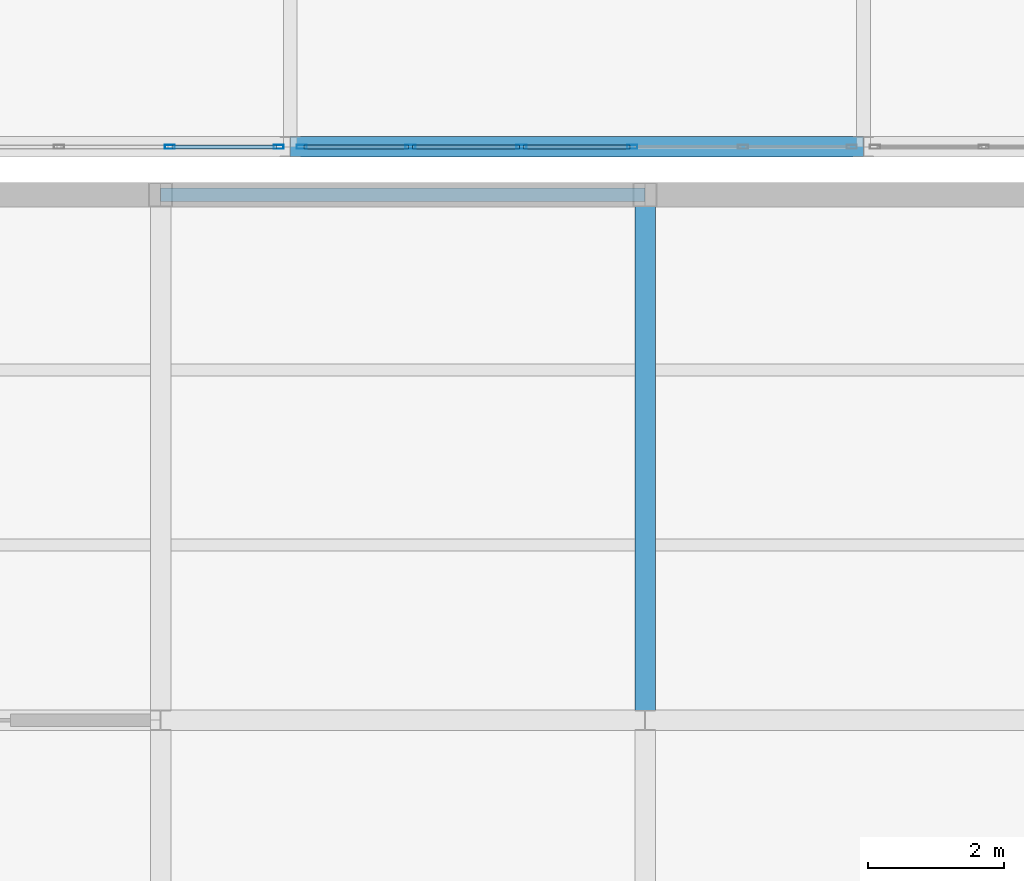
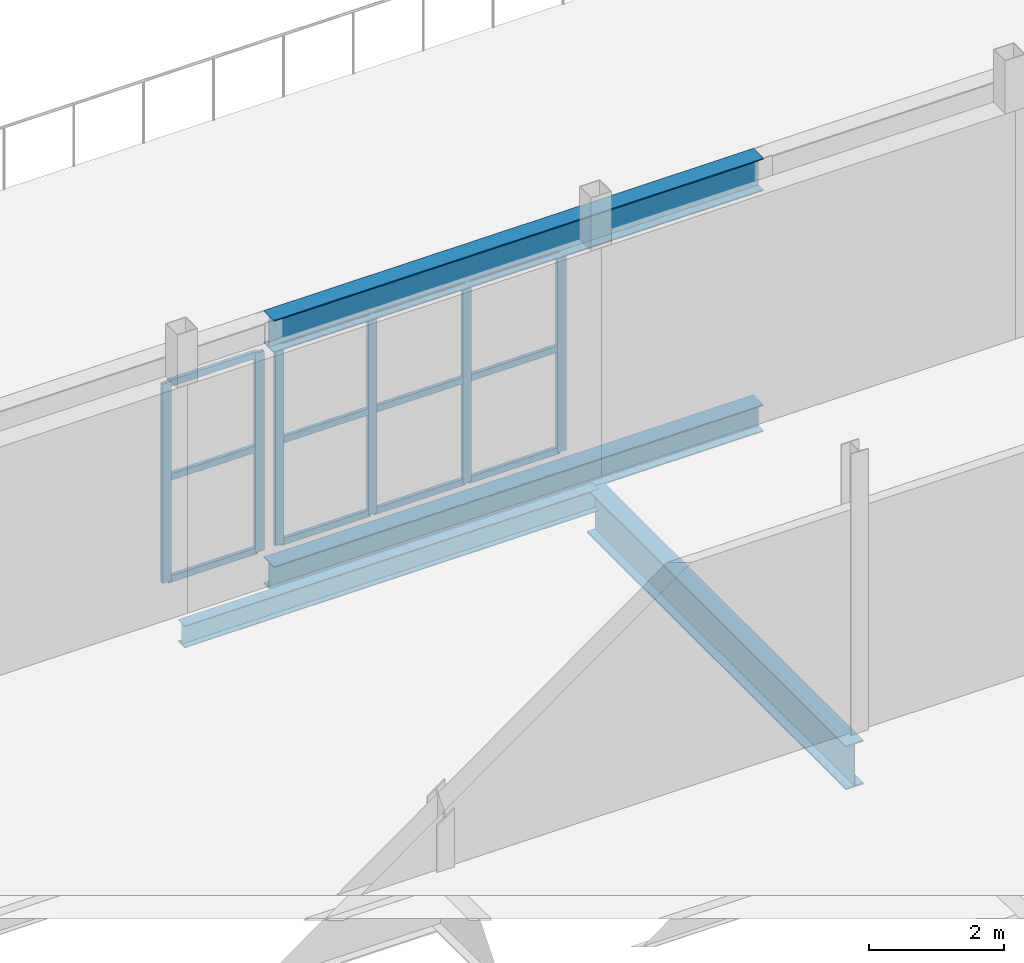
# One storey, part 145 of 218: 18 members, 4 beams, 2 elements without a shape of their own.
"""IFC4 building model written with IfcOpenShell, lengths in metres."""

from ifc_helpers import new_model, si_unit, direction, frame, origin, origin_2d, place, context, subcontext, project, spatial, hollow_rectangle, i_section, extrude, material, material_profile, profile_set, type_object, element, aggregate, save


model = new_model("IFC4")

# Units and contexts
model_context = context("Model", 3, precision=1e-05, world=origin(), true_north=direction((0.0, 1.0)))
body_context = subcontext(model_context, "Body", "Model", "MODEL_VIEW")
ifc_project = project(units=[si_unit("LENGTHUNIT", "METRE"), si_unit("AREAUNIT", "SQUARE_METRE"), si_unit("VOLUMEUNIT", "CUBIC_METRE"), si_unit("PLANEANGLEUNIT", "RADIAN"), si_unit("MASSUNIT", "GRAM", prefix="KILO")], contexts=[model_context])

# Site, building, storey
site_placement = place(None, origin())
site = spatial("IfcSite", under=ifc_project, at=site_placement, CompositionType="ELEMENT")
building_placement = place(site_placement, origin())
building = spatial("IfcBuilding", under=site, at=building_placement, Name="Kazenagashi Tramway Depot", CompositionType="ELEMENT")
storey_placement = place(building_placement, frame((0.0, 0.0, 6.0)))
storey = spatial("IfcBuildingStorey", under=building, at=storey_placement, Name="L02", CompositionType="ELEMENT", Elevation=6.0)

# Beam
ifc_material_1 = material(Name="Steel SN490B", Category="steel")
ifc_material_profile_1 = material_profile(ifc_material_1, i_section(OverallWidth=0.3, OverallDepth=0.8, WebThickness=0.014, FlangeThickness=0.026, at=origin_2d()), Name="H-800x300x14x26")
ifc_profile_set_1 = profile_set([ifc_material_profile_1], Name="Steel SN490B")
beam_type_1 = type_object("IfcBeamType", Name="G-07", PredefinedType="BEAM", material=ifc_profile_set_1)
beam_1_placement = place(storey_placement, frame((167.6, 61.6, -0.68), z_axis=(0.0, 1.0, 0.0), x_axis=(-1.0, 0.0, 0.0)))
element("IfcBeam", 1, at=beam_1_placement, inside=storey, type_object=beam_type_1, Name="Beam G-07 BM-1307", PredefinedType="BEAM", context=body_context, shape_type="SweptSolid", body=[
    extrude(i_section(OverallWidth=0.3, OverallDepth=0.8, WebThickness=0.014, FlangeThickness=0.026, at=origin_2d()), origin(), (0.0, 0.0, 1.0), 7.7),
])

# Curtain wall, members
ifc_material_2 = material(Name="Anodised Aluminium and Low-E Glazing", Category="aluminium")
curtain_wall_type = type_object("IfcCurtainWallType", Name="CW-11", PredefinedType="USERDEFINED", material=ifc_material_2)
curtain_wall_1_placement = place(storey_placement, origin())
curtain_wall_1 = element("IfcCurtainWall", 2, at=curtain_wall_1_placement, inside=storey, type_object=curtain_wall_type, Name="Industrial Glazed Screen CW-11 CW-0046", ObjectType="GLAZED SCREEN", PredefinedType="USERDEFINED")
ifc_material_3 = material(Name="Anodised Aluminium", Category="aluminium")
ifc_material_profile_2 = material_profile(ifc_material_3, hollow_rectangle(XDim=0.06, YDim=0.15, WallThickness=0.004, at=origin_2d()), Name="RHS-150x60x4")
ifc_profile_set_2 = profile_set([ifc_material_profile_2], Name="Anodised Aluminium")
member_type_1 = type_object("IfcMemberType", Name="ML-01", PredefinedType="MULLION", material=ifc_profile_set_2)
member_1_placement = place(storey_placement, frame((160.636, 70.0, 0.0), z_axis=(0.0, 0.0, 1.0), x_axis=(0.0, 1.0, 0.0)))
member_1 = element("IfcMember", 3, at=member_1_placement, type_object=member_type_1, Name="CW-11 mullion 5", PredefinedType="MULLION", context=body_context, shape_type="SweptSolid", body=[
    extrude(hollow_rectangle(XDim=0.06, YDim=0.15, WallThickness=0.004, at=origin_2d()), origin(), (0.0, 0.0, 1.0), 3.612),
])
member_2_placement = place(storey_placement, frame((162.23, 70.0, 0.0), z_axis=(0.0, 0.0, 1.0), x_axis=(0.0, 1.0, 0.0)))
member_2 = element("IfcMember", 4, at=member_2_placement, type_object=member_type_1, Name="CW-11 mullion 6", PredefinedType="MULLION", context=body_context, shape_type="SweptSolid", body=[
    extrude(hollow_rectangle(XDim=0.06, YDim=0.15, WallThickness=0.004, at=origin_2d()), origin(), (0.0, 0.0, 1.0), 3.612),
])

curtain_wall_2_placement = place(storey_placement, origin())
curtain_wall_2 = element("IfcCurtainWall", 5, at=curtain_wall_2_placement, inside=storey, type_object=curtain_wall_type, Name="Industrial Glazed Screen CW-11 CW-0049", ObjectType="GLAZED SCREEN", PredefinedType="USERDEFINED")
member_3_placement = place(storey_placement, frame((162.57, 70.0, 0.0), z_axis=(0.0, 0.0, 1.0), x_axis=(0.0, 1.0, 0.0)))
member_3 = element("IfcMember", 6, at=member_3_placement, type_object=member_type_1, Name="CW-11 mullion 1", PredefinedType="MULLION", context=body_context, shape_type="SweptSolid", body=[
    extrude(hollow_rectangle(XDim=0.06, YDim=0.15, WallThickness=0.004, at=origin_2d()), origin(), (0.0, 0.0, 1.0), 3.612),
])
member_4_placement = place(storey_placement, frame((164.164, 70.0, 0.0), z_axis=(0.0, 0.0, 1.0), x_axis=(0.0, 1.0, 0.0)))
member_4 = element("IfcMember", 7, at=member_4_placement, type_object=member_type_1, Name="CW-11 mullion 2", PredefinedType="MULLION", context=body_context, shape_type="SweptSolid", body=[
    extrude(hollow_rectangle(XDim=0.06, YDim=0.15, WallThickness=0.004, at=origin_2d()), origin(), (0.0, 0.0, 1.0), 3.612),
])
member_5_placement = place(storey_placement, frame((165.788, 70.0, 0.0), z_axis=(0.0, 0.0, 1.0), x_axis=(0.0, 1.0, 0.0)))
member_5 = element("IfcMember", 8, at=member_5_placement, type_object=member_type_1, Name="CW-11 mullion 3", PredefinedType="MULLION", context=body_context, shape_type="SweptSolid", body=[
    extrude(hollow_rectangle(XDim=0.06, YDim=0.15, WallThickness=0.004, at=origin_2d()), origin(), (0.0, 0.0, 1.0), 3.612),
])
member_6_placement = place(storey_placement, frame((167.412, 70.0, 0.0), z_axis=(0.0, 0.0, 1.0), x_axis=(0.0, 1.0, 0.0)))
member_6 = element("IfcMember", 9, at=member_6_placement, type_object=member_type_1, Name="CW-11 mullion 4", PredefinedType="MULLION", context=body_context, shape_type="SweptSolid", body=[
    extrude(hollow_rectangle(XDim=0.06, YDim=0.15, WallThickness=0.004, at=origin_2d()), origin(), (0.0, 0.0, 1.0), 3.612),
])

# Beams
ifc_material_profile_3 = material_profile(ifc_material_1, i_section(OverallWidth=0.3, OverallDepth=0.588, WebThickness=0.012, FlangeThickness=0.02, at=origin_2d()), Name="H-588x300x12x20")
ifc_profile_set_3 = profile_set([ifc_material_profile_3], Name="Steel SN490B")
beam_type_2 = type_object("IfcBeamType", Name="SP-01", PredefinedType="SPANDREL", material=ifc_profile_set_3)
beam_2_placement = place(storey_placement, frame((162.4, 70.0, 3.906), z_axis=(1.0, 0.0, 0.0), x_axis=(0.0, 1.0, 0.0)))
element("IfcBeam", 10, at=beam_2_placement, inside=storey, type_object=beam_type_2, Name="Beam SP-01 BM-1858", PredefinedType="SPANDREL", context=body_context, shape_type="SweptSolid", body=[
    extrude(i_section(OverallWidth=0.3, OverallDepth=0.588, WebThickness=0.012, FlangeThickness=0.02, at=origin_2d()), origin(), (0.0, 0.0, 1.0), 8.4),
])
ifc_material_profile_4 = material_profile(ifc_material_1, i_section(OverallWidth=0.3, OverallDepth=0.488, WebThickness=0.011, FlangeThickness=0.018, at=origin_2d()), Name="H-488x300x11x18")
ifc_profile_set_4 = profile_set([ifc_material_profile_4], Name="Steel SN490B")
beam_type_3 = type_object("IfcBeamType", Name="SP-02", PredefinedType="SPANDREL", material=ifc_profile_set_4)
beam_3_placement = place(storey_placement, frame((162.4, 70.0, -0.509), z_axis=(1.0, 0.0, 0.0), x_axis=(0.0, 1.0, 0.0)))
element("IfcBeam", 11, at=beam_3_placement, inside=storey, type_object=beam_type_3, Name="Beam SP-02 BM-1715", PredefinedType="SPANDREL", context=body_context, shape_type="SweptSolid", body=[
    extrude(i_section(OverallWidth=0.3, OverallDepth=0.488, WebThickness=0.011, FlangeThickness=0.018, at=origin_2d()), origin(), (0.0, 0.0, 1.0), 8.4),
])
ifc_material_profile_5 = material_profile(ifc_material_1, i_section(OverallWidth=0.2, OverallDepth=0.4, WebThickness=0.008, FlangeThickness=0.013, at=origin_2d()), Name="H-400x200x8x13")
ifc_profile_set_5 = profile_set([ifc_material_profile_5], Name="Steel SN490B")
beam_type_4 = type_object("IfcBeamType", Name="SP-04", PredefinedType="SPANDREL", material=ifc_profile_set_5)
beam_4_placement = place(storey_placement, frame((160.5, 69.3, -0.48), z_axis=(1.0, 0.0, 0.0), x_axis=(0.0, 1.0, 0.0)))
element("IfcBeam", 12, at=beam_4_placement, inside=storey, type_object=beam_type_4, Name="Beam SP-04 BM-1226", PredefinedType="SPANDREL", context=body_context, shape_type="SweptSolid", body=[
    extrude(i_section(OverallWidth=0.2, OverallDepth=0.4, WebThickness=0.008, FlangeThickness=0.013, at=origin_2d()), origin(), (0.0, 0.0, 1.0), 7.1),
])

# Member
ifc_material_profile_6 = material_profile(ifc_material_3, hollow_rectangle(XDim=0.06, YDim=0.12, WallThickness=0.004, at=origin_2d()), Name="RHS-120x60x4")
ifc_profile_set_6 = profile_set([ifc_material_profile_6], Name="Anodised Aluminium")
member_type_2 = type_object("IfcMemberType", Name="TR-01", PredefinedType="USERDEFINED", material=ifc_profile_set_6)
member_7_placement = place(storey_placement, frame((160.666, 70.0, 0.03), z_axis=(1.0, 0.0, 0.0), x_axis=(0.0, 1.0, 0.0)))
member_7 = element("IfcMember", 13, at=member_7_placement, type_object=member_type_2, Name="CW-11 transom 5.1", ObjectType="TRANSOM", PredefinedType="USERDEFINED", context=body_context, shape_type="SweptSolid", body=[
    extrude(hollow_rectangle(XDim=0.06, YDim=0.12, WallThickness=0.004, at=origin_2d()), origin(), (0.0, 0.0, 1.0), 1.534),
])

member_8_placement = place(storey_placement, frame((160.666, 70.0, 1.878), z_axis=(1.0, 0.0, 0.0), x_axis=(0.0, 1.0, 0.0)))
member_8 = element("IfcMember", 14, at=member_8_placement, type_object=member_type_2, Name="CW-11 transom 5.2", ObjectType="TRANSOM", PredefinedType="USERDEFINED", context=body_context, shape_type="SweptSolid", body=[
    extrude(hollow_rectangle(XDim=0.06, YDim=0.12, WallThickness=0.004, at=origin_2d()), origin(), (0.0, 0.0, 1.0), 1.534),
])

member_9_placement = place(storey_placement, frame((160.666, 70.0, 3.582), z_axis=(1.0, 0.0, 0.0), x_axis=(0.0, 1.0, 0.0)))
member_9 = element("IfcMember", 15, at=member_9_placement, type_object=member_type_2, Name="CW-11 transom 5.3", ObjectType="TRANSOM", PredefinedType="USERDEFINED", context=body_context, shape_type="SweptSolid", body=[
    extrude(hollow_rectangle(XDim=0.06, YDim=0.12, WallThickness=0.004, at=origin_2d()), origin(), (0.0, 0.0, 1.0), 1.534),
])

aggregate(curtain_wall_1, [member_1, member_2, member_7, member_8, member_9])

member_10_placement = place(storey_placement, frame((162.6, 70.0, 0.03), z_axis=(1.0, 0.0, 0.0), x_axis=(0.0, 1.0, 0.0)))
member_10 = element("IfcMember", 16, at=member_10_placement, type_object=member_type_2, Name="CW-11 transom 1.1", ObjectType="TRANSOM", PredefinedType="USERDEFINED", context=body_context, shape_type="SweptSolid", body=[
    extrude(hollow_rectangle(XDim=0.06, YDim=0.12, WallThickness=0.004, at=origin_2d()), origin(), (0.0, 0.0, 1.0), 1.534),
])

member_11_placement = place(storey_placement, frame((162.6, 70.0, 1.878), z_axis=(1.0, 0.0, 0.0), x_axis=(0.0, 1.0, 0.0)))
member_11 = element("IfcMember", 17, at=member_11_placement, type_object=member_type_2, Name="CW-11 transom 1.2", ObjectType="TRANSOM", PredefinedType="USERDEFINED", context=body_context, shape_type="SweptSolid", body=[
    extrude(hollow_rectangle(XDim=0.06, YDim=0.12, WallThickness=0.004, at=origin_2d()), origin(), (0.0, 0.0, 1.0), 1.534),
])

member_12_placement = place(storey_placement, frame((162.6, 70.0, 3.582), z_axis=(1.0, 0.0, 0.0), x_axis=(0.0, 1.0, 0.0)))
member_12 = element("IfcMember", 18, at=member_12_placement, type_object=member_type_2, Name="CW-11 transom 1.3", ObjectType="TRANSOM", PredefinedType="USERDEFINED", context=body_context, shape_type="SweptSolid", body=[
    extrude(hollow_rectangle(XDim=0.06, YDim=0.12, WallThickness=0.004, at=origin_2d()), origin(), (0.0, 0.0, 1.0), 1.534),
])

member_13_placement = place(storey_placement, frame((164.194, 70.0, 0.03), z_axis=(1.0, 0.0, 0.0), x_axis=(0.0, 1.0, 0.0)))
member_13 = element("IfcMember", 19, at=member_13_placement, type_object=member_type_2, Name="CW-11 transom 2.1", ObjectType="TRANSOM", PredefinedType="USERDEFINED", context=body_context, shape_type="SweptSolid", body=[
    extrude(hollow_rectangle(XDim=0.06, YDim=0.12, WallThickness=0.004, at=origin_2d()), origin(), (0.0, 0.0, 1.0), 1.564),
])

member_14_placement = place(storey_placement, frame((164.194, 70.0, 1.878), z_axis=(1.0, 0.0, 0.0), x_axis=(0.0, 1.0, 0.0)))
member_14 = element("IfcMember", 20, at=member_14_placement, type_object=member_type_2, Name="CW-11 transom 2.2", ObjectType="TRANSOM", PredefinedType="USERDEFINED", context=body_context, shape_type="SweptSolid", body=[
    extrude(hollow_rectangle(XDim=0.06, YDim=0.12, WallThickness=0.004, at=origin_2d()), origin(), (0.0, 0.0, 1.0), 1.564),
])

member_15_placement = place(storey_placement, frame((164.194, 70.0, 3.582), z_axis=(1.0, 0.0, 0.0), x_axis=(0.0, 1.0, 0.0)))
member_15 = element("IfcMember", 21, at=member_15_placement, type_object=member_type_2, Name="CW-11 transom 2.3", ObjectType="TRANSOM", PredefinedType="USERDEFINED", context=body_context, shape_type="SweptSolid", body=[
    extrude(hollow_rectangle(XDim=0.06, YDim=0.12, WallThickness=0.004, at=origin_2d()), origin(), (0.0, 0.0, 1.0), 1.564),
])

member_16_placement = place(storey_placement, frame((165.818, 70.0, 0.03), z_axis=(1.0, 0.0, 0.0), x_axis=(0.0, 1.0, 0.0)))
member_16 = element("IfcMember", 22, at=member_16_placement, type_object=member_type_2, Name="CW-11 transom 3.1", ObjectType="TRANSOM", PredefinedType="USERDEFINED", context=body_context, shape_type="SweptSolid", body=[
    extrude(hollow_rectangle(XDim=0.06, YDim=0.12, WallThickness=0.004, at=origin_2d()), origin(), (0.0, 0.0, 1.0), 1.564),
])

member_17_placement = place(storey_placement, frame((165.818, 70.0, 1.878), z_axis=(1.0, 0.0, 0.0), x_axis=(0.0, 1.0, 0.0)))
member_17 = element("IfcMember", 23, at=member_17_placement, type_object=member_type_2, Name="CW-11 transom 3.2", ObjectType="TRANSOM", PredefinedType="USERDEFINED", context=body_context, shape_type="SweptSolid", body=[
    extrude(hollow_rectangle(XDim=0.06, YDim=0.12, WallThickness=0.004, at=origin_2d()), origin(), (0.0, 0.0, 1.0), 1.564),
])

member_18_placement = place(storey_placement, frame((165.818, 70.0, 3.582), z_axis=(1.0, 0.0, 0.0), x_axis=(0.0, 1.0, 0.0)))
member_18 = element("IfcMember", 24, at=member_18_placement, type_object=member_type_2, Name="CW-11 transom 3.3", ObjectType="TRANSOM", PredefinedType="USERDEFINED", context=body_context, shape_type="SweptSolid", body=[
    extrude(hollow_rectangle(XDim=0.06, YDim=0.12, WallThickness=0.004, at=origin_2d()), origin(), (0.0, 0.0, 1.0), 1.564),
])

aggregate(curtain_wall_2, [member_3, member_4, member_5, member_6, member_10, member_11, member_12, member_13, member_14, member_15, member_16, member_17, member_18])

save(model, "model.ifc")
